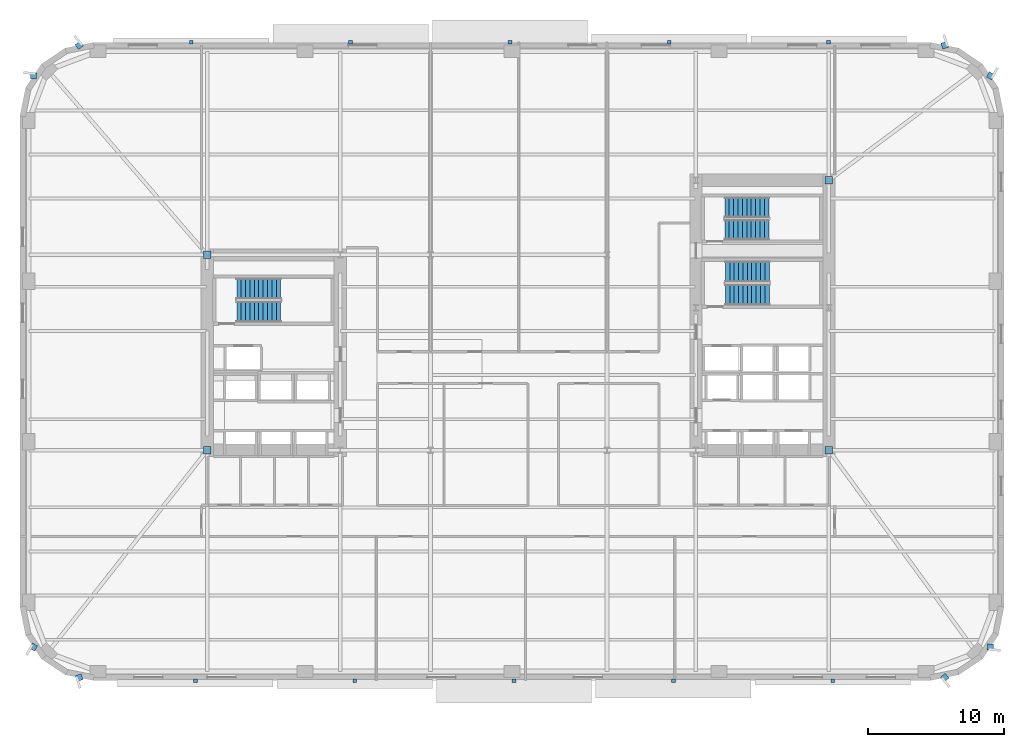
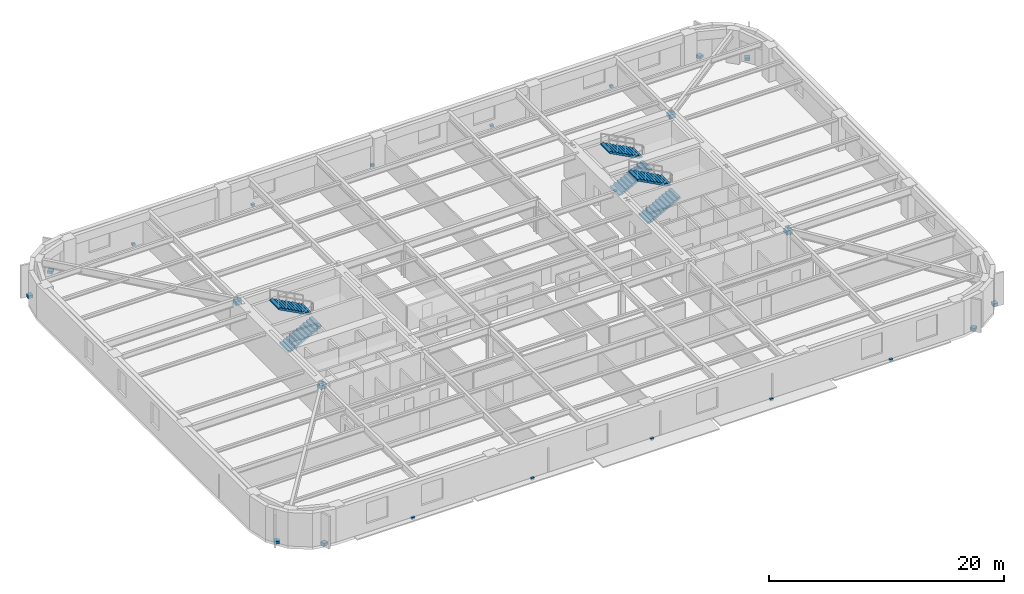
# One storey, part 8 of 15: 22 discrete accessories, 6 stair flights, 3 elements without a shape of their own.
"""IFC4 building model written with IfcOpenShell, lengths in metres."""

from ifc_helpers import new_model, si_unit, direction, frame, origin, origin_2d, place, context, subcontext, project, spatial, polyline, rectangle, outline, extrude, material, type_object, element, aggregate, save


model = new_model("IFC4")

# Units and contexts
model_context = context("Model", 3, precision=1e-05, world=origin(), true_north=direction((0.0, 1.0)))
body_context = subcontext(model_context, "Body", "Model", "MODEL_VIEW")
ifc_project = project(units=[si_unit("LENGTHUNIT", "METRE"), si_unit("AREAUNIT", "SQUARE_METRE"), si_unit("VOLUMEUNIT", "CUBIC_METRE"), si_unit("PLANEANGLEUNIT", "RADIAN"), si_unit("MASSUNIT", "GRAM", prefix="KILO")], contexts=[model_context])

# Site, building, storey
site_placement = place(None, origin())
site = spatial("IfcSite", under=ifc_project, at=site_placement, CompositionType="ELEMENT")
building_placement = place(site_placement, origin())
building = spatial("IfcBuilding", under=site, at=building_placement, Name="Kolvaren Arena Tower", CompositionType="ELEMENT")
storey_placement = place(building_placement, frame((0.0, 0.0, 83.25)))
storey = spatial("IfcBuildingStorey", under=building, at=storey_placement, Name="L18", CompositionType="ELEMENT", Elevation=83.25)

# Stair, stair flights
ifc_material_1 = material(Name="Concrete 45 MPa", Category="concrete")
stair_type_1 = type_object("IfcStairType", Name="STAIR-CORE-150", PredefinedType="HALF_TURN_STAIR", material=ifc_material_1)
stair_1_placement = place(storey_placement, origin())
stair_1 = element("IfcStair", 1, at=stair_1_placement, inside=storey, type_object=stair_type_1, Name="L18 ST-E2", PredefinedType="HALF_TURN_STAIR")
stair_flight_type_1 = type_object("IfcStairFlightType", Name="FLT-150", PredefinedType="STRAIGHT", material=ifc_material_1)
stair_flight_1_placement = place(storey_placement, frame((52.679931640625, 35.699951171875, 0.0), z_axis=(0.0, 0.0, 1.0), x_axis=(1.0, 0.0, 0.0)))
stair_flight_1 = element("IfcStairFlight", 2, at=stair_flight_1_placement, type_object=stair_flight_type_1, Name="ST-E2 flight 1", NumberOfRisers=11, NumberOfTreads=10, PredefinedType="STRAIGHT", RiserHeight=0.170454545, TreadLength=0.324, context=body_context, shape_type="SweptSolid", body=[
    extrude(outline(polyline([(0.0, 0.0), (0.0, 0.17041015625), (0.323974609375, 0.17041015625), (0.323974609375, 0.3408203125), (0.64794921875, 0.3408203125), (0.64794921875, 0.511474609375), (0.971923828125, 0.511474609375), (0.971923828125, 0.681884765625), (1.2958984375, 0.681884765625), (1.2958984375, 0.852294921875), (1.6201171875, 0.852294921875), (1.6201171875, 1.022705078125), (1.944091796875, 1.022705078125), (1.944091796875, 1.193115234375), (2.26806640625, 1.193115234375), (2.26806640625, 1.363525390625), (2.592041015625, 1.363525390625), (2.592041015625, 1.5341796875), (2.916015625, 1.5341796875), (2.916015625, 1.70458984375), (3.239990234375, 1.70458984375), (3.239990234375, 1.875), (3.239990234375, 1.53515625), (0.322021484375, 0.0), (0.0, 0.0)])), frame((0.0, 0.75, 0.0), z_axis=(0.0, -1.0, 0.0), x_axis=(1.0, 0.0, 0.0)), (0.0, 0.0, 1.0), 1.5),
])
stair_flight_2_placement = place(storey_placement, frame((55.919921875, 37.35009765625, 1.875), z_axis=(0.0, 0.0, 1.0), x_axis=(-1.0, 0.0, 0.0)))
stair_flight_2 = element("IfcStairFlight", 3, at=stair_flight_2_placement, type_object=stair_flight_type_1, Name="ST-E2 flight 2", NumberOfRisers=11, NumberOfTreads=10, PredefinedType="STRAIGHT", RiserHeight=0.170454545, TreadLength=0.324, context=body_context, shape_type="SweptSolid", body=[
    extrude(outline(polyline([(0.0, 0.0), (0.0, 0.17041015625), (0.323974609375, 0.17041015625), (0.323974609375, 0.3408203125), (0.64794921875, 0.3408203125), (0.64794921875, 0.511474609375), (0.971923828125, 0.511474609375), (0.971923828125, 0.681884765625), (1.2958984375, 0.681884765625), (1.2958984375, 0.852294921875), (1.6201171875, 0.852294921875), (1.6201171875, 1.022705078125), (1.944091796875, 1.022705078125), (1.944091796875, 1.193115234375), (2.26806640625, 1.193115234375), (2.26806640625, 1.363525390625), (2.592041015625, 1.363525390625), (2.592041015625, 1.5341796875), (2.916015625, 1.5341796875), (2.916015625, 1.70458984375), (3.239990234375, 1.70458984375), (3.239990234375, 1.875), (3.239990234375, 1.53515625), (0.322021484375, 0.0), (0.0, 0.0)])), frame((0.0, 0.75, 0.0), z_axis=(0.0, -1.0, 0.0), x_axis=(1.0, 0.0, 0.0)), (0.0, 0.0, 1.0), 1.5),
])
aggregate(stair_1, [stair_flight_1, stair_flight_2])

stair_type_2 = type_object("IfcStairType", Name="STAIR-CORE-165", PredefinedType="HALF_TURN_STAIR", material=ifc_material_1)
stair_2_placement = place(storey_placement, origin())
stair_2 = element("IfcStair", 4, at=stair_2_placement, inside=storey, type_object=stair_type_2, Name="L18 ST-W1", PredefinedType="HALF_TURN_STAIR")
stair_flight_type_2 = type_object("IfcStairFlightType", Name="FLT-165", PredefinedType="STRAIGHT", material=ifc_material_1)
stair_flight_3_placement = place(storey_placement, frame((16.719970703125, 29.669921875, 0.0), z_axis=(0.0, 0.0, 1.0), x_axis=(1.0, 0.0, 0.0)))
stair_flight_3 = element("IfcStairFlight", 5, at=stair_flight_3_placement, type_object=stair_flight_type_2, Name="ST-W1 flight 1", NumberOfRisers=11, NumberOfTreads=10, PredefinedType="STRAIGHT", RiserHeight=0.170454545, TreadLength=0.324, context=body_context, shape_type="SweptSolid", body=[
    extrude(outline(polyline([(0.0, 0.0), (0.0, 0.17041015625), (0.323974609375, 0.17041015625), (0.323974609375, 0.3408203125), (0.64794921875, 0.3408203125), (0.64794921875, 0.511474609375), (0.971923828125, 0.511474609375), (0.971923828125, 0.681884765625), (1.2958984375, 0.681884765625), (1.2958984375, 0.852294921875), (1.6201171875, 0.852294921875), (1.6201171875, 1.022705078125), (1.944091796875, 1.022705078125), (1.944091796875, 1.193115234375), (2.26806640625, 1.193115234375), (2.26806640625, 1.363525390625), (2.592041015625, 1.363525390625), (2.592041015625, 1.5341796875), (2.916015625, 1.5341796875), (2.916015625, 1.70458984375), (3.239990234375, 1.70458984375), (3.239990234375, 1.875), (3.239990234375, 1.53515625), (0.322021484375, 0.0), (0.0, 0.0)])), frame((0.0, 0.77001953125, 0.0), z_axis=(0.0, -1.0, 0.0), x_axis=(1.0, 0.0, 0.0)), (0.0, 0.0, 1.0), 1.5400390625),
])
stair_flight_4_placement = place(storey_placement, frame((19.9599609375, 31.360107421875, 1.875), z_axis=(0.0, 0.0, 1.0), x_axis=(-1.0, 0.0, 0.0)))
stair_flight_4 = element("IfcStairFlight", 6, at=stair_flight_4_placement, type_object=stair_flight_type_2, Name="ST-W1 flight 2", NumberOfRisers=11, NumberOfTreads=10, PredefinedType="STRAIGHT", RiserHeight=0.170454545, TreadLength=0.324, context=body_context, shape_type="SweptSolid", body=[
    extrude(outline(polyline([(0.0, 0.0), (0.0, 0.17041015625), (0.323974609375, 0.17041015625), (0.323974609375, 0.3408203125), (0.64794921875, 0.3408203125), (0.64794921875, 0.511474609375), (0.971923828125, 0.511474609375), (0.971923828125, 0.681884765625), (1.2958984375, 0.681884765625), (1.2958984375, 0.852294921875), (1.6201171875, 0.852294921875), (1.6201171875, 1.022705078125), (1.944091796875, 1.022705078125), (1.944091796875, 1.193115234375), (2.26806640625, 1.193115234375), (2.26806640625, 1.363525390625), (2.592041015625, 1.363525390625), (2.592041015625, 1.5341796875), (2.916015625, 1.5341796875), (2.916015625, 1.70458984375), (3.239990234375, 1.70458984375), (3.239990234375, 1.875), (3.239990234375, 1.53515625), (0.322021484375, 0.0), (0.0, 0.0)])), frame((0.0, 0.77001953125, 0.0), z_axis=(0.0, -1.0, 0.0), x_axis=(1.0, 0.0, 0.0)), (0.0, 0.0, 1.0), 1.5400390625),
])
aggregate(stair_2, [stair_flight_3, stair_flight_4])

stair_3_placement = place(storey_placement, origin())
stair_3 = element("IfcStair", 7, at=stair_3_placement, inside=storey, type_object=stair_type_2, Name="L18 ST-E1", PredefinedType="HALF_TURN_STAIR")
stair_flight_5_placement = place(storey_placement, frame((52.719970703125, 30.919921875, 0.0), z_axis=(0.0, 0.0, 1.0), x_axis=(1.0, 0.0, 0.0)))
stair_flight_5 = element("IfcStairFlight", 8, at=stair_flight_5_placement, type_object=stair_flight_type_2, Name="ST-E1 flight 1", NumberOfRisers=11, NumberOfTreads=10, PredefinedType="STRAIGHT", RiserHeight=0.170454545, TreadLength=0.324, context=body_context, shape_type="SweptSolid", body=[
    extrude(outline(polyline([(0.0, 0.0), (0.0, 0.17041015625), (0.323974609375, 0.17041015625), (0.323974609375, 0.3408203125), (0.64794921875, 0.3408203125), (0.64794921875, 0.511474609375), (0.971923828125, 0.511474609375), (0.971923828125, 0.681884765625), (1.2958984375, 0.681884765625), (1.2958984375, 0.852294921875), (1.6201171875, 0.852294921875), (1.6201171875, 1.022705078125), (1.944091796875, 1.022705078125), (1.944091796875, 1.193115234375), (2.26806640625, 1.193115234375), (2.26806640625, 1.363525390625), (2.592041015625, 1.363525390625), (2.592041015625, 1.5341796875), (2.916015625, 1.5341796875), (2.916015625, 1.70458984375), (3.239990234375, 1.70458984375), (3.239990234375, 1.875), (3.239990234375, 1.53515625), (0.322021484375, 0.0), (0.0, 0.0)])), frame((0.0, 0.77001953125, 0.0), z_axis=(0.0, -1.0, 0.0), x_axis=(1.0, 0.0, 0.0)), (0.0, 0.0, 1.0), 1.5400390625),
])
stair_flight_6_placement = place(storey_placement, frame((55.9599609375, 32.610107421875, 1.875), z_axis=(0.0, 0.0, 1.0), x_axis=(-1.0, 0.0, 0.0)))
stair_flight_6 = element("IfcStairFlight", 9, at=stair_flight_6_placement, type_object=stair_flight_type_2, Name="ST-E1 flight 2", NumberOfRisers=11, NumberOfTreads=10, PredefinedType="STRAIGHT", RiserHeight=0.170454545, TreadLength=0.324, context=body_context, shape_type="SweptSolid", body=[
    extrude(outline(polyline([(0.0, 0.0), (0.0, 0.17041015625), (0.323974609375, 0.17041015625), (0.323974609375, 0.3408203125), (0.64794921875, 0.3408203125), (0.64794921875, 0.511474609375), (0.971923828125, 0.511474609375), (0.971923828125, 0.681884765625), (1.2958984375, 0.681884765625), (1.2958984375, 0.852294921875), (1.6201171875, 0.852294921875), (1.6201171875, 1.022705078125), (1.944091796875, 1.022705078125), (1.944091796875, 1.193115234375), (2.26806640625, 1.193115234375), (2.26806640625, 1.363525390625), (2.592041015625, 1.363525390625), (2.592041015625, 1.5341796875), (2.916015625, 1.5341796875), (2.916015625, 1.70458984375), (3.239990234375, 1.70458984375), (3.239990234375, 1.875), (3.239990234375, 1.53515625), (0.322021484375, 0.0), (0.0, 0.0)])), frame((0.0, 0.77001953125, 0.0), z_axis=(0.0, -1.0, 0.0), x_axis=(1.0, 0.0, 0.0)), (0.0, 0.0, 1.0), 1.5400390625),
])
aggregate(stair_3, [stair_flight_5, stair_flight_6])

# Discrete accessories
ifc_material_2 = material(Name="Stainless steel facade support bracket", Category="steel")
discrete_accessory_type_1 = type_object("IfcDiscreteAccessoryType", Name="ACC-BRKT-1", PredefinedType="BRACKET", material=ifc_material_2)
for number, where, z_axis, x_axis, name in (
    (10, (68.88330078125, 2.70556640625, 0.02001953125), (0.0, 0.0, 1.0), (0.632722898811, -0.774378288254, 0.0), "Corner Fin Anchor Bracket (L18)"),
    (11, (72.253662109375, 4.95751953125, 0.02001953125), (0.0, 0.0, 1.0), (0.994971840066, -0.100155067151, 0.0), "Corner Fin Anchor Bracket (L18)"),
    (12, (72.253662109375, 47.04248046875, 0.02001953125), (0.0, 0.0, 1.0), (0.473348878368, 0.880875041846, 0.0), "Corner Fin Anchor Bracket (L18)"),
    (13, (68.88330078125, 49.29443359375, 0.02001953125), (0.0, 0.0, 1.0), (-0.288174541455, 0.957577899524, 0.0), "Corner Fin Anchor Bracket (L18)"),
):
    element("IfcDiscreteAccessory", number, at=place(storey_placement, frame(where, z_axis=z_axis, x_axis=x_axis)), inside=storey, type_object=discrete_accessory_type_1, Name=name, PredefinedType="BRACKET", context=body_context, shape_type="SweptSolid", body=[
        extrude(rectangle(XDim=0.449951171875, YDim=0.449951171875, at=origin_2d()), origin(), (0.0, 0.0, 1.0), 0.300048828125),
    ])
for number, where, z_axis, x_axis, name in (
    (14, (13.3701171875, 49.52001953125, -0.18017578125), (0.0, 0.0, 1.0), (1.0, 0.0, 0.0), "Sunshade Support Bracket (L18)"),
    (15, (25.110107421875, 49.52001953125, -0.18017578125), (0.0, 0.0, 1.0), (1.0, 0.0, 0.0), "Sunshade Support Bracket (L18)"),
    (16, (36.85009765625, 49.52001953125, -0.18017578125), (0.0, 0.0, 1.0), (1.0, 0.0, 0.0), "Sunshade Support Bracket (L18)"),
    (17, (48.590087890625, 49.52001953125, -0.18017578125), (0.0, 0.0, 1.0), (1.0, 0.0, 0.0), "Sunshade Support Bracket (L18)"),
    (18, (60.330078125, 49.52001953125, -0.18017578125), (0.0, 0.0, 1.0), (1.0, 0.0, 0.0), "Sunshade Support Bracket (L18)"),
):
    element("IfcDiscreteAccessory", number, at=place(storey_placement, frame(where, z_axis=z_axis, x_axis=x_axis)), inside=storey, type_object=discrete_accessory_type_1, Name=name, PredefinedType="BRACKET", context=body_context, shape_type="SweptSolid", body=[
        extrude(rectangle(XDim=0.280029296875, YDim=0.239990234375, at=origin_2d()), origin(), (0.0, 0.0, 1.0), 0.239990234375),
    ])
for number, where, z_axis, x_axis, name in (
    (19, (5.11669921875, 49.29443359375, 0.02001953125), (0.0, 0.0, 1.0), (-0.632722898811, 0.774378288254, 0.0), "Corner Fin Anchor Bracket (L18)"),
    (20, (1.746337890625, 47.04248046875, 0.02001953125), (0.0, 0.0, 1.0), (-0.994971840066, 0.100155067151, 0.0), "Corner Fin Anchor Bracket (L18)"),
    (21, (1.746337890625, 4.95751953125, 0.02001953125), (0.0, 0.0, 1.0), (-0.473348878368, -0.880875041846, 0.0), "Corner Fin Anchor Bracket (L18)"),
    (22, (5.11669921875, 2.70556640625, 0.02001953125), (0.0, 0.0, 1.0), (0.288174541455, -0.957577899524, 0.0), "Corner Fin Anchor Bracket (L18)"),
):
    element("IfcDiscreteAccessory", number, at=place(storey_placement, frame(where, z_axis=z_axis, x_axis=x_axis)), inside=storey, type_object=discrete_accessory_type_1, Name=name, PredefinedType="BRACKET", context=body_context, shape_type="SweptSolid", body=[
        extrude(rectangle(XDim=0.449951171875, YDim=0.449951171875, at=origin_2d()), origin(), (0.0, 0.0, 1.0), 0.300048828125),
    ])
for number, where, z_axis, x_axis, name in (
    (23, (60.6298828125, 2.47998046875, -0.18017578125), (0.0, 0.0, 1.0), (-1.0, 0.0, 0.0), "Sunshade Support Bracket (L18)"),
    (24, (48.889892578125, 2.47998046875, -0.18017578125), (0.0, 0.0, 1.0), (-1.0, 0.0, 0.0), "Sunshade Support Bracket (L18)"),
    (25, (37.14990234375, 2.47998046875, -0.18017578125), (0.0, 0.0, 1.0), (-1.0, 0.0, 0.0), "Sunshade Support Bracket (L18)"),
    (26, (25.409912109375, 2.47998046875, -0.18017578125), (0.0, 0.0, 1.0), (-1.0, 0.0, 0.0), "Sunshade Support Bracket (L18)"),
    (27, (13.669921875, 2.47998046875, -0.18017578125), (0.0, 0.0, 1.0), (-1.0, 0.0, 0.0), "Sunshade Support Bracket (L18)"),
):
    element("IfcDiscreteAccessory", number, at=place(storey_placement, frame(where, z_axis=z_axis, x_axis=x_axis)), inside=storey, type_object=discrete_accessory_type_1, Name=name, PredefinedType="BRACKET", context=body_context, shape_type="SweptSolid", body=[
        extrude(rectangle(XDim=0.280029296875, YDim=0.239990234375, at=origin_2d()), origin(), (0.0, 0.0, 1.0), 0.239990234375),
    ])
ifc_material_3 = material(Name="Steel CSA G40.21 350W bolted gusset connection", Category="steel")
discrete_accessory_type_2 = type_object("IfcDiscreteAccessoryType", Name="ACC-CONN-1", PredefinedType="BRACKET", material=ifc_material_3)
for number, where, z_axis, x_axis, name in (
    (28, (60.35009765625, 19.449951171875, 2.87353515625), (0.0, 0.0, 1.0), (1.0, 0.0, 0.0), "Core Wall Cast-In Embed Plate EP1 (L18)"),
    (29, (60.35009765625, 39.35009765625, 2.87353515625), (0.0, 0.0, 1.0), (1.0, 0.0, 0.0), "Core Wall Cast-In Embed Plate EP1 (L18)"),
    (30, (14.550048828125, 33.85009765625, 2.87353515625), (0.0, 0.0, 1.0), (1.0, 0.0, 0.0), "Core Wall Cast-In Embed Plate EP1 (L18)"),
    (31, (14.550048828125, 19.449951171875, 2.87353515625), (0.0, 0.0, 1.0), (1.0, 0.0, 0.0), "Core Wall Cast-In Embed Plate EP1 (L18)"),
):
    element("IfcDiscreteAccessory", number, at=place(storey_placement, frame(where, z_axis=z_axis, x_axis=x_axis)), inside=storey, type_object=discrete_accessory_type_2, Name=name, PredefinedType="BRACKET", context=body_context, shape_type="SweptSolid", body=[
        extrude(rectangle(XDim=0.56005859375, YDim=0.56005859375, at=origin_2d()), origin(), (0.0, 0.0, 1.0), 0.43994140625),
    ])

save(model, "model.ifc")
